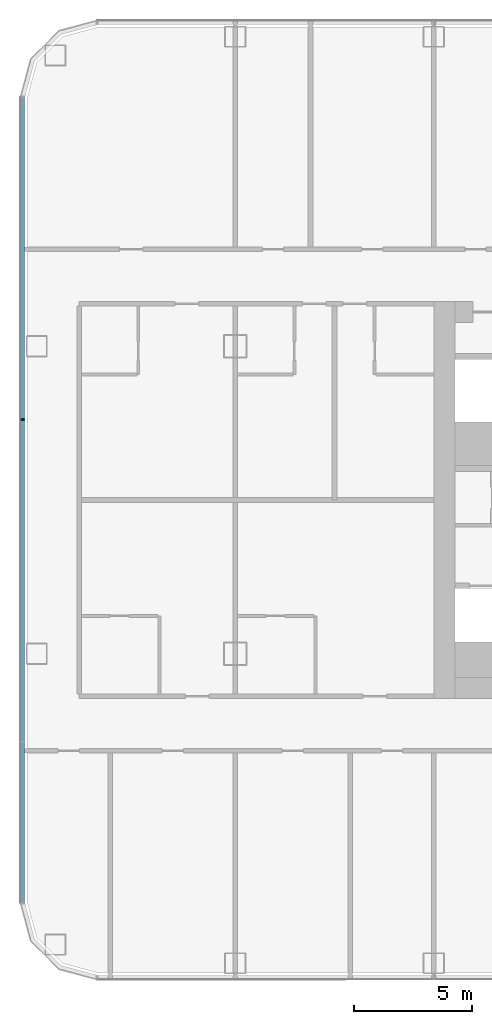
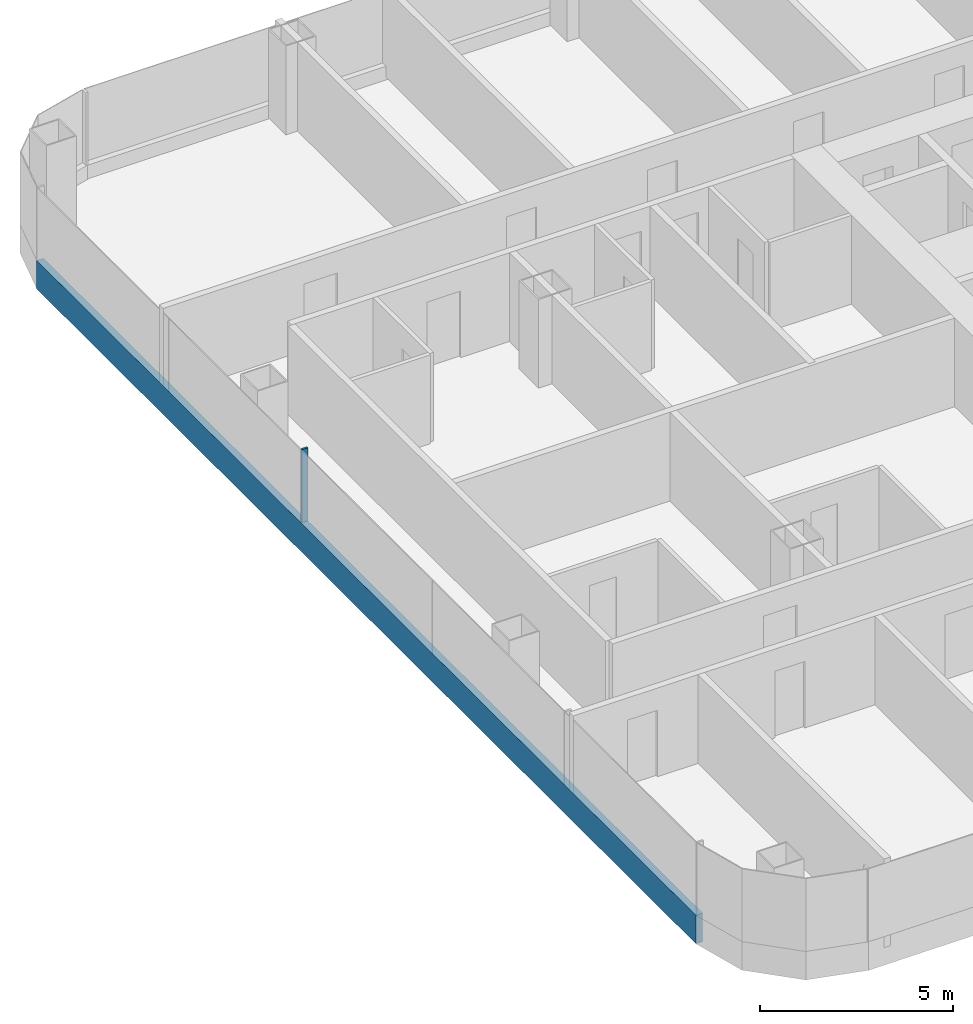
# One storey, part 3 of 28: 2 members, 1 element without a shape of its own.
"""IFC4 building model written with IfcOpenShell, lengths in metres."""

from ifc_helpers import new_model, si_unit, direction, frame, origin, origin_2d, place, context, subcontext, project, spatial, rectangle, extrude, material, layer, layer_set, material_profile, profile_set, type_object, element, aggregate, save


model = new_model("IFC4")

# Units and contexts
model_context = context("Model", 3, precision=1e-05, world=origin(), true_north=direction((0.0, 1.0)))
body_context = subcontext(model_context, "Body", "Model", "MODEL_VIEW")
ifc_project = project(units=[si_unit("LENGTHUNIT", "METRE"), si_unit("AREAUNIT", "SQUARE_METRE"), si_unit("VOLUMEUNIT", "CUBIC_METRE"), si_unit("PLANEANGLEUNIT", "RADIAN"), si_unit("MASSUNIT", "GRAM", prefix="KILO")], contexts=[model_context])

# Site, building, storey
site_placement = place(None, origin())
site = spatial("IfcSite", under=ifc_project, at=site_placement, CompositionType="ELEMENT")
building_placement = place(site_placement, origin())
building = spatial("IfcBuilding", under=site, at=building_placement, Name="Hakoniwa Tower and Hamabe Station Hall", CompositionType="ELEMENT")
storey_placement = place(building_placement, frame((0.0, 0.0, 32.60009765625)))
storey = spatial("IfcBuildingStorey", under=building, at=storey_placement, Name="L08", CompositionType="ELEMENT", Elevation=32.60009765625)

# Curtain wall, members
ifc_material_1 = material(Name="Dark low-e laminated glass", Category="glass")
ifc_layer = layer(ifc_material_1, 0.199951171875)
ifc_layer_set = layer_set([ifc_layer], Name="CW-1 UNITISED GUEST")
curtain_wall_type = type_object("IfcCurtainWallType", Name="CW-1 UNITISED GUEST", PredefinedType="NOTDEFINED", material=ifc_layer_set)
curtain_wall_placement = place(storey_placement, origin())
curtain_wall = element("IfcCurtainWall", 1, at=curtain_wall_placement, inside=storey, type_object=curtain_wall_type, Name="CW-1 curtain wall", PredefinedType="NOTDEFINED")
ifc_material_2 = material(Name="Aluminium 6063-T5 black anodised", Category="aluminium")
ifc_material_profile_1 = material_profile(ifc_material_2, rectangle(XDim=0.199951171875, YDim=0.89990234375, at=origin_2d()), Name="CW SLAB-EDGE BAND 900X200")
ifc_profile_set_1 = profile_set([ifc_material_profile_1], Name="Aluminium 6063-T5 black anodised")
member_type_1 = type_object("IfcMemberType", Name="CW SLAB-EDGE BAND 900X200", PredefinedType="USERDEFINED", material=ifc_profile_set_1)
member_1_placement = place(storey_placement, frame((-51.0, 17.03955078125, -0.10009765625), z_axis=(0.0, -1.0, 0.0), x_axis=(1.0, 0.0, 0.0)))
member_1 = element("IfcMember", 2, at=member_1_placement, type_object=member_type_1, Name="CW-1 transom", ObjectType="TRANSOM", PredefinedType="USERDEFINED", context=body_context, shape_type="SweptSolid", body=[
    extrude(rectangle(XDim=0.199951171875, YDim=0.89990234375, at=origin_2d()), origin(), (0.0, 0.0, 1.0), 34.0791015625),
])
ifc_material_3 = material(Name="Aluminium 6063-T5 black anodised", Category="aluminium")
ifc_material_profile_2 = material_profile(ifc_material_3, rectangle(XDim=0.06005859375, YDim=0.179931640625, at=origin_2d()), Name="CW-1 MULLION 60X180")
ifc_profile_set_2 = profile_set([ifc_material_profile_2], Name="Aluminium 6063-T5 black anodised")
member_type_2 = type_object("IfcMemberType", Name="CW-1 MULLION 60X180", PredefinedType="MULLION", material=ifc_profile_set_2)
member_2_placement = place(storey_placement, frame((-50.98193359375, 3.407958984375, 0.349853515625), z_axis=(0.0, 0.0, 1.0), x_axis=(0.0, -1.0, 0.0)))
member_2 = element("IfcMember", 3, at=member_2_placement, type_object=member_type_2, Name="CW-1 mullion", PredefinedType="MULLION", context=body_context, shape_type="SweptSolid", body=[
    extrude(rectangle(XDim=0.06005859375, YDim=0.179931640625, at=origin_2d()), origin(), (0.0, 0.0, 1.0), 2.300048828125),
])
aggregate(curtain_wall, [member_2, member_1])

save(model, "model.ifc")
